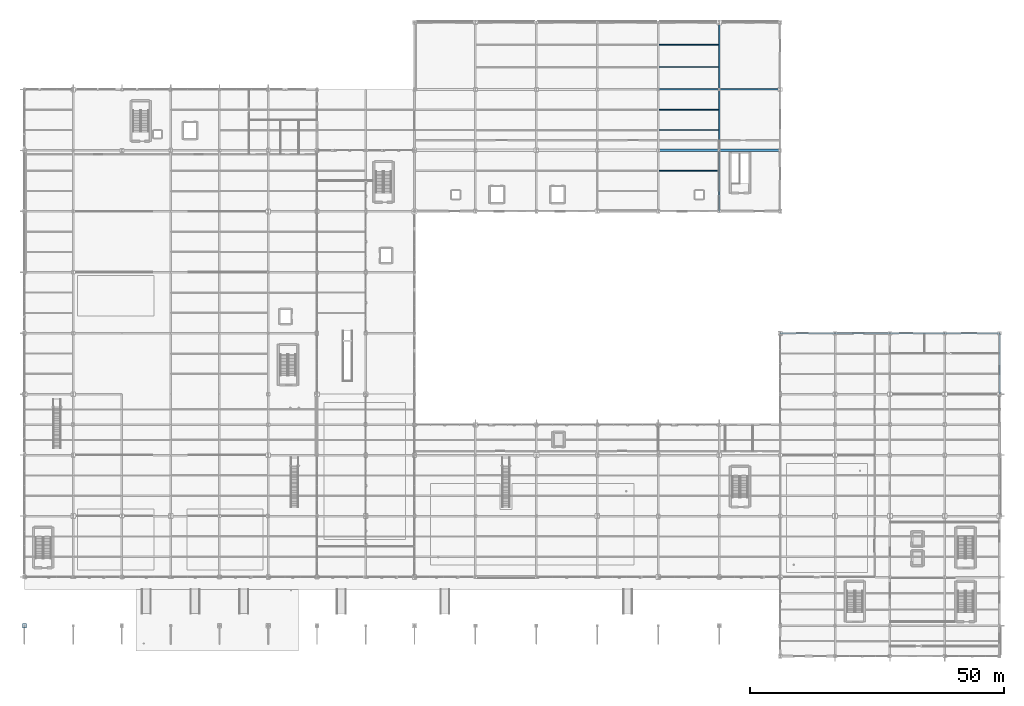
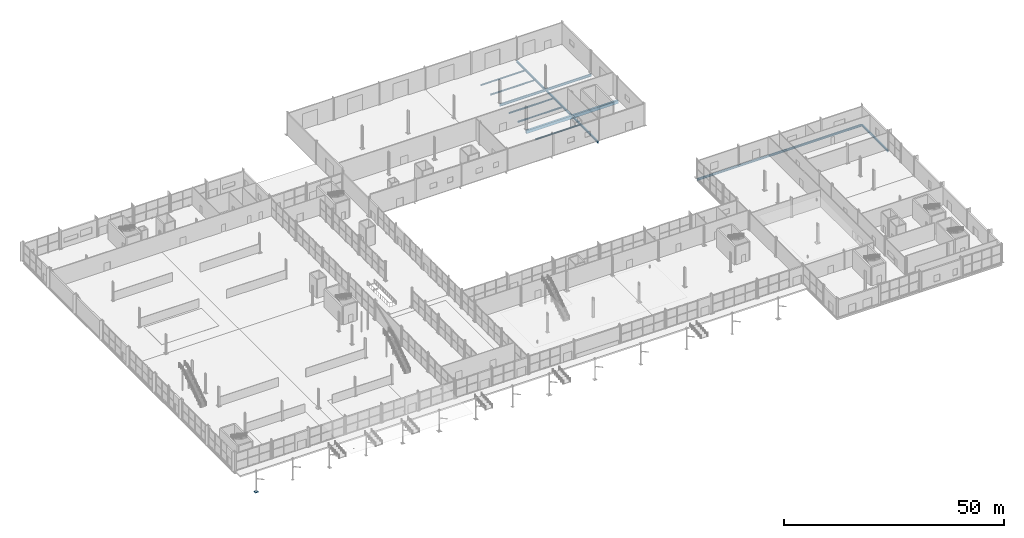
# One storey, part 144 of 196: 17 beams, 1 plate.
"""IFC4 building model written with IfcOpenShell, lengths in metres."""

from ifc_helpers import new_model, si_unit, direction, frame, origin, origin_2d, place, context, subcontext, project, spatial, rectangle, i_section, extrude, material, layer, layer_set, material_profile, profile_set, type_object, element, save


model = new_model("IFC4")

# Units and contexts
model_context = context("Model", 3, precision=1e-05, world=origin(), true_north=direction((0.0, 1.0)))
body_context = subcontext(model_context, "Body", "Model", "MODEL_VIEW")
ifc_project = project(units=[si_unit("LENGTHUNIT", "METRE"), si_unit("AREAUNIT", "SQUARE_METRE"), si_unit("VOLUMEUNIT", "CUBIC_METRE"), si_unit("PLANEANGLEUNIT", "RADIAN"), si_unit("MASSUNIT", "GRAM", prefix="KILO")], contexts=[model_context])

# Site, building, storey
site_placement = place(None, origin())
site = spatial("IfcSite", under=ifc_project, at=site_placement, CompositionType="ELEMENT")
building_placement = place(site_placement, origin())
building = spatial("IfcBuilding", under=site, at=building_placement, Name="Merenkruunu Market Hall", CompositionType="ELEMENT")
storey_placement = place(building_placement, origin())
storey = spatial("IfcBuildingStorey", under=building, at=storey_placement, Name="L00", CompositionType="ELEMENT", Elevation=0.0)

# Beams
ifc_material_1 = material(Name="Steel S355J2", Category="steel")
ifc_material_profile_1 = material_profile(ifc_material_1, i_section(OverallWidth=0.300048828125, OverallDepth=0.64990234375, WebThickness=0.01611328125, FlangeThickness=0.031005859375, FilletRadius=0.027099609375, at=origin_2d()), Name="HEB 650")
ifc_profile_set_1 = profile_set([ifc_material_profile_1], Name="Steel S355J2")
beam_type_1 = type_object("IfcBeamType", Name="Primary Floor Girder B01", PredefinedType="BEAM", material=ifc_profile_set_1)
for number, where, z_axis, x_axis, name in (
    (1, (124.800048828125, 111.60009765625, -0.6650390625), (1.0, 0.0, 0.0), (0.0, 1.0, 0.0), "BM-L00-B01-0134"),
    (2, (136.800048828125, 111.60009765625, -0.6650390625), (1.0, 0.0, 0.0), (0.0, 1.0, 0.0), "BM-L00-B01-0135"),
):
    element("IfcBeam", number, at=place(storey_placement, frame(where, z_axis=z_axis, x_axis=x_axis)), inside=storey, type_object=beam_type_1, Name=name, PredefinedType="BEAM", context=body_context, shape_type="SweptSolid", body=[
        extrude(i_section(OverallWidth=0.300048828125, OverallDepth=0.64990234375, WebThickness=0.01611328125, FlangeThickness=0.031005859375, FilletRadius=0.027099609375, at=origin_2d()), origin(), (0.0, 0.0, 1.0), 12.0),
    ])
ifc_material_profile_2 = material_profile(ifc_material_1, i_section(OverallWidth=0.300048828125, OverallDepth=0.550048828125, WebThickness=0.014892578125, FlangeThickness=0.029052734375, FilletRadius=0.027099609375, at=origin_2d()), Name="HEB 550")
ifc_profile_set_2 = profile_set([ifc_material_profile_2], Name="Steel S355J2")
beam_type_2 = type_object("IfcBeamType", Name="Primary Floor Girder B02", PredefinedType="BEAM", material=ifc_profile_set_2)
beam_1_placement = place(storey_placement, frame((148.800048828125, 63.60009765625, -0.574951171875), z_axis=(1.0, 0.0, 0.0), x_axis=(0.0, 1.0, 0.0)))
element("IfcBeam", 3, at=beam_1_placement, inside=storey, type_object=beam_type_2, Name="BM-L00-B02-0094", PredefinedType="BEAM", context=body_context, shape_type="SweptSolid", body=[
    extrude(i_section(OverallWidth=0.300048828125, OverallDepth=0.550048828125, WebThickness=0.014892578125, FlangeThickness=0.029052734375, FilletRadius=0.027099609375, at=origin_2d()), origin(), (0.0, 0.0, 1.0), 10.800048828125),
])
beam_2_placement = place(storey_placement, frame((159.60009765625, 63.60009765625, -0.574951171875), z_axis=(1.0, 0.0, 0.0), x_axis=(0.0, 1.0, 0.0)))
element("IfcBeam", 4, at=beam_2_placement, inside=storey, type_object=beam_type_2, Name="BM-L00-B02-0095", PredefinedType="BEAM", context=body_context, shape_type="SweptSolid", body=[
    extrude(i_section(OverallWidth=0.300048828125, OverallDepth=0.550048828125, WebThickness=0.014892578125, FlangeThickness=0.029052734375, FilletRadius=0.027099609375, at=origin_2d()), origin(), (0.0, 0.0, 1.0), 10.7998046875),
])
for number, where, z_axis, x_axis, name in (
    (5, (170.39990234375, 63.60009765625, -0.574951171875), (1.0, 0.0, 0.0), (0.0, 1.0, 0.0), "BM-L00-B02-0096"),
    (6, (181.199951171875, 63.60009765625, -0.574951171875), (1.0, 0.0, 0.0), (0.0, 1.0, 0.0), "BM-L00-B02-0097"),
):
    element("IfcBeam", number, at=place(storey_placement, frame(where, z_axis=z_axis, x_axis=x_axis)), inside=storey, type_object=beam_type_2, Name=name, PredefinedType="BEAM", context=body_context, shape_type="SweptSolid", body=[
        extrude(i_section(OverallWidth=0.300048828125, OverallDepth=0.550048828125, WebThickness=0.014892578125, FlangeThickness=0.029052734375, FilletRadius=0.027099609375, at=origin_2d()), origin(), (0.0, 0.0, 1.0), 10.800048828125),
    ])
ifc_material_profile_3 = material_profile(ifc_material_1, i_section(OverallWidth=0.300048828125, OverallDepth=0.5400390625, WebThickness=0.012451171875, FlangeThickness=0.02392578125, FilletRadius=0.027099609375, at=origin_2d()), Name="HEA 550")
ifc_profile_set_3 = profile_set([ifc_material_profile_3], Name="Steel S355J2")
beam_type_3 = type_object("IfcBeamType", Name="Primary Floor Girder B06", PredefinedType="BEAM", material=ifc_profile_set_3)
for number, where, z_axis, x_axis, name in (
    (7, (136.800048828125, 87.60009765625, -0.610107421875), (0.0, 1.0, 0.0), (-1.0, 0.0, 0.0), "BM-L00-B06-0236"),
    (8, (136.800048828125, 99.60009765625, -0.610107421875), (0.0, 1.0, 0.0), (-1.0, 0.0, 0.0), "BM-L00-B06-0237"),
):
    element("IfcBeam", number, at=place(storey_placement, frame(where, z_axis=z_axis, x_axis=x_axis)), inside=storey, type_object=beam_type_3, Name=name, PredefinedType="BEAM", context=body_context, shape_type="SweptSolid", body=[
        extrude(i_section(OverallWidth=0.300048828125, OverallDepth=0.5400390625, WebThickness=0.012451171875, FlangeThickness=0.02392578125, FilletRadius=0.027099609375, at=origin_2d()), origin(), (0.0, 0.0, 1.0), 12.0),
    ])
beam_3_placement = place(storey_placement, frame((136.800048828125, 111.60009765625, -0.610107421875), z_axis=(0.0, 1.0, 0.0), x_axis=(-1.0, 0.0, 0.0)))
element("IfcBeam", 9, at=beam_3_placement, inside=storey, type_object=beam_type_3, Name="BM-L00-B06-0238", PredefinedType="BEAM", context=body_context, shape_type="SweptSolid", body=[
    extrude(i_section(OverallWidth=0.300048828125, OverallDepth=0.5400390625, WebThickness=0.012451171875, FlangeThickness=0.02392578125, FilletRadius=0.027099609375, at=origin_2d()), origin(), (0.0, 0.0, 1.0), 13.199951171875),
])
beam_4_placement = place(storey_placement, frame((192.0, 51.60009765625, -0.570068359375), z_axis=(0.0, 1.0, 0.0), x_axis=(-1.0, 0.0, 0.0)))
element("IfcBeam", 10, at=beam_4_placement, inside=storey, type_object=beam_type_3, Name="BM-L00-B06-0273", PredefinedType="BEAM", context=body_context, shape_type="SweptSolid", body=[
    extrude(i_section(OverallWidth=0.300048828125, OverallDepth=0.5400390625, WebThickness=0.012451171875, FlangeThickness=0.02392578125, FilletRadius=0.027099609375, at=origin_2d()), origin(), (0.0, 0.0, 1.0), 12.0),
])
ifc_material_2 = material(Name="Concrete C35/45", Category="concrete")
ifc_material_profile_4 = material_profile(ifc_material_2, rectangle(XDim=0.5, YDim=0.85009765625, at=origin_2d()), Name="RC 500x850")
ifc_profile_set_4 = profile_set([ifc_material_profile_4], Name="Concrete C35/45")
beam_type_4 = type_object("IfcBeamType", Name="Primary Floor Girder B12", PredefinedType="BEAM", material=ifc_profile_set_4)
for number, where, z_axis, x_axis, name in (
    (11, (124.800048828125, 99.60009765625, -0.764892578125), (1.0, 0.0, 0.0), (0.0, 1.0, 0.0), "BM-L00-B12-0126"),
    (12, (136.800048828125, 99.60009765625, -0.764892578125), (1.0, 0.0, 0.0), (0.0, 1.0, 0.0), "BM-L00-B12-0127"),
):
    element("IfcBeam", number, at=place(storey_placement, frame(where, z_axis=z_axis, x_axis=x_axis)), inside=storey, type_object=beam_type_4, Name=name, PredefinedType="BEAM", context=body_context, shape_type="SweptSolid", body=[
        extrude(rectangle(XDim=0.5, YDim=0.85009765625, at=origin_2d()), origin(), (0.0, 0.0, 1.0), 12.0),
    ])
ifc_material_profile_5 = material_profile(ifc_material_1, i_section(OverallWidth=0.14990234375, OverallDepth=0.300048828125, WebThickness=0.007080078125, FlangeThickness=0.0107421875, FilletRadius=0.014892578125, at=origin_2d()), Name="IPE 300")
ifc_profile_set_5 = profile_set([ifc_material_profile_5], Name="Steel S355J2")
beam_type_5 = type_object("IfcBeamType", Name="Secondary Floor Joist J04", PredefinedType="JOIST", material=ifc_profile_set_5)
for number, where, z_axis, x_axis, name in (
    (13, (124.952880859375, 95.60009765625, -0.489990234375), (1.0, 0.0, 0.0), (0.0, 1.0, 0.0), "BM-L00-J04-0412"),
    (14, (124.952880859375, 103.60009765625, -0.489990234375), (1.0, 0.0, 0.0), (0.0, 1.0, 0.0), "BM-L00-J04-0413"),
    (15, (124.952880859375, 107.60009765625, -0.489990234375), (1.0, 0.0, 0.0), (0.0, 1.0, 0.0), "BM-L00-J04-0414"),
    (16, (124.952880859375, 116.0, -0.489990234375), (1.0, 0.0, 0.0), (0.0, 1.0, 0.0), "BM-L00-J04-0415"),
    (17, (124.952880859375, 120.39990234375, -0.489990234375), (1.0, 0.0, 0.0), (0.0, 1.0, 0.0), "BM-L00-J04-0416"),
):
    element("IfcBeam", number, at=place(storey_placement, frame(where, z_axis=z_axis, x_axis=x_axis)), inside=storey, type_object=beam_type_5, Name=name, PredefinedType="JOIST", context=body_context, shape_type="SweptSolid", body=[
        extrude(i_section(OverallWidth=0.14990234375, OverallDepth=0.300048828125, WebThickness=0.007080078125, FlangeThickness=0.0107421875, FilletRadius=0.014892578125, at=origin_2d()), origin(), (0.0, 0.0, 1.0), 11.694091796875),
    ])

# Plate
ifc_material_3 = material(Name="Steel S355ML", Category="steel")
ifc_layer = layer(ifc_material_3, 0.044921875)
ifc_layer_set = layer_set([ifc_layer], Name="Steel S355ML")
plate_type = type_object("IfcPlateType", Name="Column Base Plate BP01", PredefinedType="USERDEFINED", material=ifc_layer_set)
plate_placement = place(storey_placement, frame((0.0, 6.0, 0.0), z_axis=(0.0, 0.0, 1.0), x_axis=(1.0, 0.0, 0.0)))
element("IfcPlate", 18, at=plate_placement, inside=storey, type_object=plate_type, Name="PLT-BP-A-02", ObjectType="BASE_PLATE", PredefinedType="USERDEFINED", context=body_context, shape_type="SweptSolid", body=[
    extrude(rectangle(XDim=0.85009765625, YDim=0.85009765625, at=origin_2d()), origin(), (0.0, 0.0, 1.0), 0.044921875),
])

save(model, "model.ifc")
